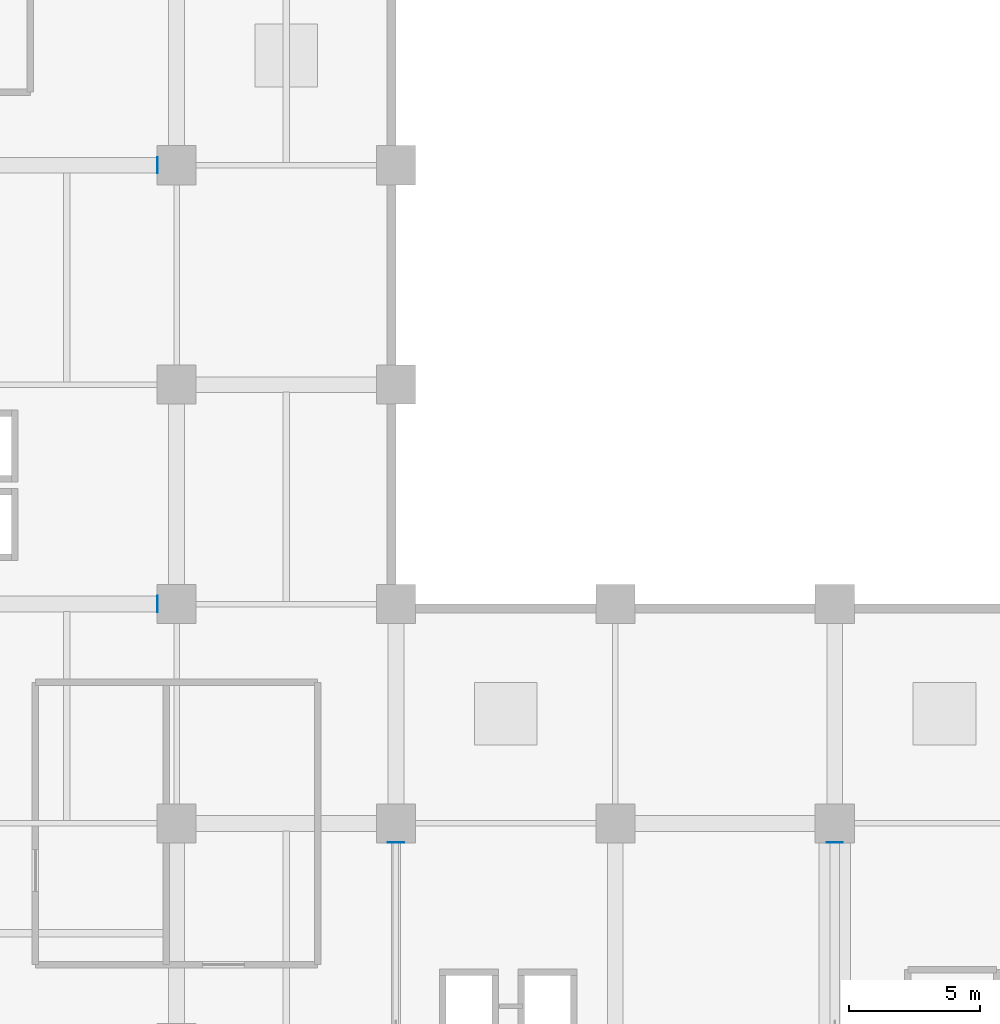
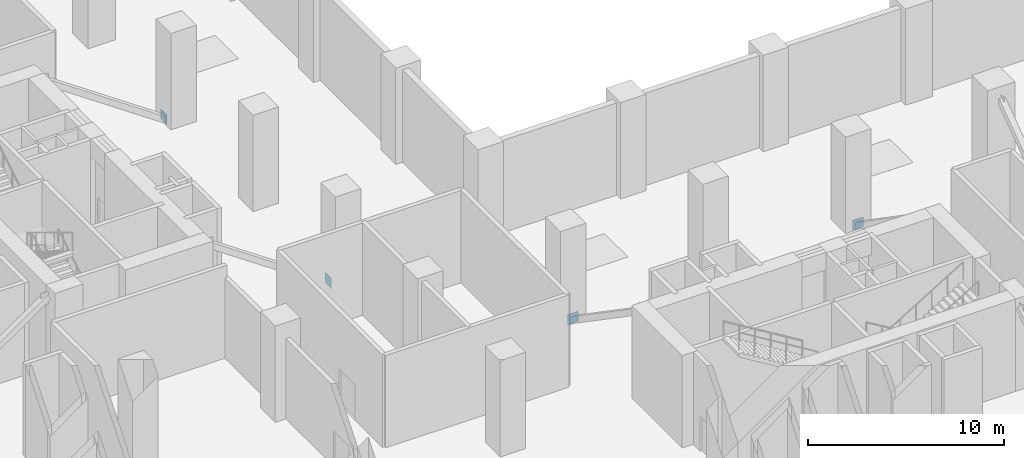
# One storey, part 9 of 20: 4 plates.
"""IFC4 building model written with IfcOpenShell, lengths in metres."""

from ifc_helpers import new_model, si_unit, direction, frame, origin, origin_2d, place, context, subcontext, project, spatial, rectangle, extrude, material, layer, layer_set, type_object, element, save


model = new_model("IFC4")

# Units and contexts
model_context = context("Model", 3, precision=1e-05, world=origin(), true_north=direction((0.0, 1.0)))
body_context = subcontext(model_context, "Body", "Model", "MODEL_VIEW")
ifc_project = project(units=[si_unit("LENGTHUNIT", "METRE"), si_unit("AREAUNIT", "SQUARE_METRE"), si_unit("VOLUMEUNIT", "CUBIC_METRE"), si_unit("PLANEANGLEUNIT", "RADIAN"), si_unit("MASSUNIT", "GRAM", prefix="KILO")], contexts=[model_context])

# Site, building, storey
site_placement = place(None, origin())
site = spatial("IfcSite", under=ifc_project, at=site_placement, CompositionType="ELEMENT")
building_placement = place(site_placement, origin())
building = spatial("IfcBuilding", under=site, at=building_placement, Name="Koriwani Terraces Tower", CompositionType="ELEMENT")
storey_placement = place(building_placement, frame((0.0, 0.0, 26.0)))
storey = spatial("IfcBuildingStorey", under=building, at=storey_placement, Name="L05", CompositionType="ELEMENT", Elevation=26.0)

# Plates
ifc_material = material(Name="Steel ASTM A572 Grade 50", Category="steel")
ifc_layer = layer(ifc_material, 0.02490234375, Name="Steel ASTM A572 Grade 50")
ifc_layer_set = layer_set([ifc_layer], Name="Steel ASTM A572 Grade 50")
plate_type = type_object("IfcPlateType", Name="STEEL_CAP_PLATE_25", PredefinedType="USERDEFINED", material=ifc_layer_set)
for number, where, z_axis, x_axis, name in (
    (1, (32.8701171875, 42.0, 0.0400390625), (0.0, 0.0, 1.0), (-1.0, 0.0, 0.0), "Outrigger truss hollow end cap plate L05-OW-E1"),
    (2, (32.8701171875, 58.800048828125, 0.0400390625), (0.0, 0.0, 1.0), (-1.0, 0.0, 0.0), "Outrigger truss hollow end cap plate L05-OW-E2"),
    (3, (42.0, 32.8701171875, 0.0400390625), (0.0, 0.0, 1.0), (0.0, -1.0, 0.0), "Outrigger truss hollow end cap plate L05-OE-N1"),
    (4, (58.800048828125, 32.8701171875, 0.0400390625), (0.0, 0.0, 1.0), (0.0, -1.0, 0.0), "Outrigger truss hollow end cap plate L05-OE-N2"),
):
    element("IfcPlate", number, at=place(storey_placement, frame(where, z_axis=z_axis, x_axis=x_axis)), inside=storey, type_object=plate_type, Name=name, ObjectType="FLANGE_PLATE", PredefinedType="USERDEFINED", context=body_context, shape_type="SweptSolid", body=[
        extrude(rectangle(XDim=0.02490234375, YDim=0.6201171875, at=origin_2d()), origin(), (0.0, 0.0, 1.0), 0.6201171875),
    ])

save(model, "model.ifc")
